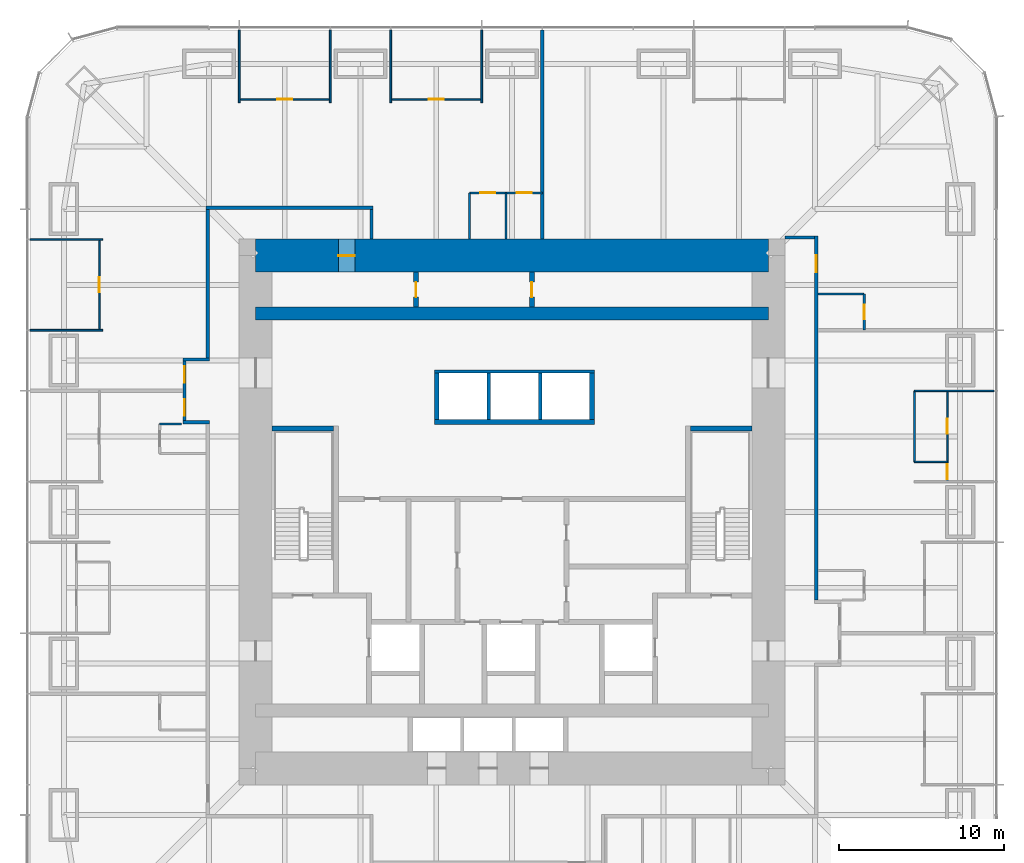
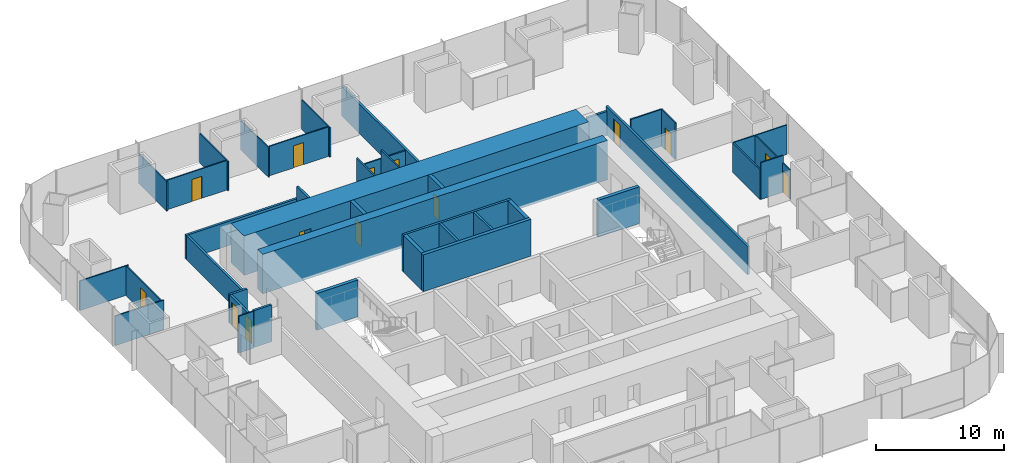
# One storey, part 11 of 13: 40 walls, 14 doors, 14 openings.
"""IFC4 building model written with IfcOpenShell, lengths in metres."""

from ifc_helpers import new_model, si_unit, direction, frame, frame_2d, origin, place, context, subcontext, project, spatial, rectangle, extrude, material, layer, layer_set, type_object, element, fill, save


model = new_model("IFC4")

# Units and contexts
model_context = context("Model", 3, precision=1e-05, world=origin(), true_north=direction((0.0, 1.0)))
body_context = subcontext(model_context, "Body", "Model", "MODEL_VIEW")
ifc_project = project(units=[si_unit("LENGTHUNIT", "METRE"), si_unit("AREAUNIT", "SQUARE_METRE"), si_unit("VOLUMEUNIT", "CUBIC_METRE"), si_unit("PLANEANGLEUNIT", "RADIAN"), si_unit("MASSUNIT", "GRAM", prefix="KILO")], contexts=[model_context])

# Site, building, storey
site_placement = place(None, origin())
site = spatial("IfcSite", under=ifc_project, at=site_placement, CompositionType="ELEMENT")
building_placement = place(site_placement, origin())
building = spatial("IfcBuilding", under=site, at=building_placement, Name="Khuree Lantern Residences", CompositionType="ELEMENT")
storey_placement = place(building_placement, frame((0.0, 0.0, 114.75)))
storey = spatial("IfcBuildingStorey", under=building, at=storey_placement, Name="L28", CompositionType="ELEMENT", Elevation=114.75)

# Wall
ifc_material_1 = material(Name="Moisture-resistant gypsum board on steel studs", Category="steel")
ifc_layer_1 = layer(ifc_material_1, 0.125)
ifc_layer_set_1 = layer_set([ifc_layer_1], Name="BATHROOM WALL BTW125")
wall_type_1 = type_object("IfcWallType", Name="BATHROOM WALL BTW125", PredefinedType="PARTITIONING", material=ifc_layer_set_1)
wall_1_placement = place(storey_placement, frame((24.329833984375, 3.031982421875, 0.0), z_axis=(0.0, 0.0, 1.0), x_axis=(0.0, 1.0, 0.0)))
element("IfcWall", 1, at=wall_1_placement, inside=storey, type_object=wall_type_1, Name="L28 BATHROOM WALL 01", PredefinedType="PARTITIONING", context=body_context, shape_type="SweptSolid", body=[
    extrude(rectangle(XDim=4.2958984375, YDim=0.125, at=frame_2d((2.14794921875, 0.0))), origin(), (0.0, 0.0, 1.0), 2.81005859375),
])

# Wall, opening, door
wall_2_placement = place(storey_placement, frame((21.300048828125, 10.991943359375, 0.0), z_axis=(0.0, 0.0, 1.0), x_axis=(0.0, 1.0, 0.0)))
wall_2 = element("IfcWall", 2, at=wall_2_placement, inside=storey, type_object=wall_type_1, Name="L28 BATHROOM WALL 02", PredefinedType="PARTITIONING", context=body_context, shape_type="SweptSolid", body=[
    extrude(rectangle(XDim=2.199951171875, YDim=0.125, at=frame_2d((1.10009765625, 0.0))), origin(), (0.0, 0.0, 1.0), 3.5),
])
opening_1_placement = place(wall_2_placement, frame((0.64990234375, 0.0, 0.0)))
opening_1 = element("IfcOpeningElement", 3, at=opening_1_placement, cuts=wall_2, Name="Opening 28-029", PredefinedType="OPENING", context=body_context, shape_type="SweptSolid", body=[
    extrude(rectangle(XDim=0.89990234375, YDim=2.10009765625, at=frame_2d((0.449951171875, 1.050048828125))), frame((0.0, 0.072509765625, 0.0), z_axis=(0.0, -1.0, 0.0), x_axis=(1.0, 0.0, 0.0)), (0.0, 0.0, 1.0), 0.14501953125),
])
ifc_material_2 = material(Name="Timber door leaf in hardwood frame", Category="wood")
door_type_1 = type_object("IfcDoorType", Name="BATHROOM DOOR 900X2100", OperationType="SINGLE_SWING_LEFT", PredefinedType="DOOR", material=ifc_material_2)
door_1_placement = place(opening_1_placement, origin())
door_1 = element("IfcDoor", 4, at=door_1_placement, inside=storey, type_object=door_type_1, Name="Bathroom door 28-029", OperationType="SINGLE_SWING_LEFT", OverallHeight=2.10009765625, OverallWidth=0.89990234375, PredefinedType="DOOR", context=body_context, shape_type="SweptSolid", body=[
    extrude(rectangle(XDim=0.89990234375, YDim=2.10009765625, at=frame_2d((0.449951171875, 1.050048828125))), frame((0.0, 0.02490234375, 0.0), z_axis=(0.0, -1.0, 0.0), x_axis=(1.0, 0.0, 0.0)), (0.0, 0.0, 1.0), 0.050048828125),
])
fill(opening_1, door_1)

# Wall
wall_3_placement = place(storey_placement, frame((18.5, 13.19189453125, 0.0), z_axis=(0.0, 0.0, 1.0), x_axis=(1.0, 0.0, 0.0)))
element("IfcWall", 5, at=wall_3_placement, inside=storey, type_object=wall_type_1, Name="L28 BATHROOM WALL 02", PredefinedType="PARTITIONING", context=body_context, shape_type="SweptSolid", body=[
    extrude(rectangle(XDim=2.800048828125, YDim=0.125, at=frame_2d((1.39990234375, 0.0))), origin(), (0.0, 0.0, 1.0), 3.5),
])

# Wall, openings, doors
wall_4_placement = place(storey_placement, frame((1.83203125, 19.300048828125, 0.0), z_axis=(0.0, 0.0, 1.0), x_axis=(-1.0, 0.0, 0.0)))
wall_4 = element("IfcWall", 6, at=wall_4_placement, inside=storey, type_object=wall_type_1, Name="L28 BATHROOM WALL 03", PredefinedType="PARTITIONING", context=body_context, shape_type="SweptSolid", body=[
    extrude(rectangle(XDim=4.400146484375, YDim=0.125, at=frame_2d((2.2001953125, 0.0))), origin(), (0.0, 0.0, 1.0), 2.699951171875),
])
opening_2_placement = place(wall_4_placement, frame((0.64990234375, 0.0, 0.0)))
opening_2 = element("IfcOpeningElement", 7, at=opening_2_placement, cuts=wall_4, Name="Opening 28-034", PredefinedType="OPENING", context=body_context, shape_type="SweptSolid", body=[
    extrude(rectangle(XDim=0.89990234375, YDim=2.10009765625, at=frame_2d((0.449951171875, 1.050048828125))), frame((0.0, 0.072509765625, 0.0), z_axis=(0.0, -1.0, 0.0), x_axis=(1.0, 0.0, 0.0)), (0.0, 0.0, 1.0), 0.14501953125),
])
opening_3_placement = place(wall_4_placement, frame((2.85009765625, 0.0, 0.0)))
opening_3 = element("IfcOpeningElement", 8, at=opening_3_placement, cuts=wall_4, Name="Opening 28-035", PredefinedType="OPENING", context=body_context, shape_type="SweptSolid", body=[
    extrude(rectangle(XDim=0.89990234375, YDim=2.10009765625, at=frame_2d((0.449951171875, 1.050048828125))), frame((0.0, 0.072509765625, 0.0), z_axis=(0.0, -1.0, 0.0), x_axis=(1.0, 0.0, 0.0)), (0.0, 0.0, 1.0), 0.14501953125),
])
door_2_placement = place(opening_2_placement, origin())
door_2 = element("IfcDoor", 9, at=door_2_placement, inside=storey, type_object=door_type_1, Name="Bathroom door 28-034", OperationType="SINGLE_SWING_LEFT", OverallHeight=2.10009765625, OverallWidth=0.89990234375, PredefinedType="DOOR", context=body_context, shape_type="SweptSolid", body=[
    extrude(rectangle(XDim=0.89990234375, YDim=2.10009765625, at=frame_2d((0.449951171875, 1.050048828125))), frame((0.0, 0.02490234375, 0.0), z_axis=(0.0, -1.0, 0.0), x_axis=(1.0, 0.0, 0.0)), (0.0, 0.0, 1.0), 0.050048828125),
])
fill(opening_2, door_2)
door_3_placement = place(opening_3_placement, origin())
door_3 = element("IfcDoor", 10, at=door_3_placement, inside=storey, type_object=door_type_1, Name="Bathroom door 28-035", OperationType="SINGLE_SWING_LEFT", OverallHeight=2.10009765625, OverallWidth=0.89990234375, PredefinedType="DOOR", context=body_context, shape_type="SweptSolid", body=[
    extrude(rectangle(XDim=0.89990234375, YDim=2.10009765625, at=frame_2d((0.449951171875, 1.050048828125))), frame((0.0, 0.02490234375, 0.0), z_axis=(0.0, -1.0, 0.0), x_axis=(1.0, 0.0, 0.0)), (0.0, 0.0, 1.0), 0.050048828125),
])
fill(opening_3, door_3)

# Walls
for number, where, z_axis, x_axis, name in (
    (11, (-0.367919921875, 16.5, 0.0), (0.0, 0.0, 1.0), (0.0, 1.0, 0.0), "L28 BATHROOM WALL 03"),
    (12, (-2.568115234375, 16.5, 0.0), (0.0, 0.0, 1.0), (0.0, 1.0, 0.0), "L28 BATHROOM WALL 03"),
):
    element("IfcWall", number, at=place(storey_placement, frame(where, z_axis=z_axis, x_axis=x_axis)), inside=storey, type_object=wall_type_1, Name=name, PredefinedType="PARTITIONING", context=body_context, shape_type="SweptSolid", body=[
        extrude(rectangle(XDim=2.800048828125, YDim=0.125, at=frame_2d((1.39990234375, 0.0))), origin(), (0.0, 0.0, 1.0), 3.5),
    ])
wall_5_placement = place(storey_placement, frame((-19.969970703125, 5.327880859375, 0.0), z_axis=(0.0, 0.0, 1.0), x_axis=(-1.0, 0.0, 0.0)))
element("IfcWall", 13, at=wall_5_placement, inside=storey, type_object=wall_type_1, Name="L28 BATHROOM WALL 04", PredefinedType="PARTITIONING", context=body_context, shape_type="SweptSolid", body=[
    extrude(rectangle(XDim=1.330078125, YDim=0.125, at=frame_2d((0.6650390625, 0.0))), origin(), (0.0, 0.0, 1.0), 3.5),
])
ifc_material_3 = material(Name="Dense concrete blockwork", Category="masonry")
ifc_layer_2 = layer(ifc_material_3, 0.300048828125)
ifc_layer_set_2 = layer_set([ifc_layer_2], Name="CORE PARTITION WALL CPW300 EI 120")
wall_type_2 = type_object("IfcWallType", Name="CORE PARTITION WALL CPW300 EI 120", PredefinedType="PARTITIONING", material=ifc_layer_set_2)
wall_6_placement = place(storey_placement, frame((-4.699951171875, 5.449951171875, 0.0), z_axis=(0.0, 0.0, 1.0), x_axis=(1.0, 0.0, 0.0)))
element("IfcWall", 14, at=wall_6_placement, inside=storey, type_object=wall_type_2, Name="L28 CORE WALL PHS", PredefinedType="PARTITIONING", context=body_context, shape_type="SweptSolid", body=[
    extrude(rectangle(XDim=9.699951171875, YDim=0.300048828125, at=frame_2d((4.85009765625, 0.0))), origin(), (0.0, 0.0, 1.0), 3.5),
])
for number, where, z_axis, x_axis, name in (
    (15, (-4.550048828125, 5.60009765625, 0.0), (0.0, 0.0, 1.0), (0.0, 1.0, 0.0), "L28 CORE WALL PHW"),
    (16, (4.85009765625, 5.60009765625, 0.0), (0.0, 0.0, 1.0), (0.0, 1.0, 0.0), "L28 CORE WALL PHE"),
):
    element("IfcWall", number, at=place(storey_placement, frame(where, z_axis=z_axis, x_axis=x_axis)), inside=storey, type_object=wall_type_2, Name=name, PredefinedType="PARTITIONING", context=body_context, shape_type="SweptSolid", body=[
        extrude(rectangle(XDim=2.7998046875, YDim=0.300048828125, at=frame_2d((1.39990234375, 0.0))), origin(), (0.0, 0.0, 1.0), 3.5),
    ])

# Wall, opening, door
wall_7_placement = place(storey_placement, frame((-5.800048828125, 12.39990234375, 0.0), z_axis=(0.0, 0.0, 1.0), x_axis=(0.0, 1.0, 0.0)))
wall_7 = element("IfcWall", 17, at=wall_7_placement, inside=storey, type_object=wall_type_2, Name="L28 CORE WALL PLX", PredefinedType="PARTITIONING", context=body_context, shape_type="SweptSolid", body=[
    extrude(rectangle(XDim=2.10009765625, YDim=0.300048828125, at=frame_2d((1.050048828125, 0.0))), origin(), (0.0, 0.0, 1.0), 3.5),
])
opening_4_placement = place(wall_7_placement, frame((0.60009765625, 0.0, 0.0)))
opening_4 = element("IfcOpeningElement", 18, at=opening_4_placement, cuts=wall_7, Name="Opening 28-020", PredefinedType="OPENING", context=body_context, shape_type="SweptSolid", body=[
    extrude(rectangle(XDim=0.89990234375, YDim=2.10009765625, at=frame_2d((0.449951171875, 1.050048828125))), frame((0.0, 0.16015625, 0.0), z_axis=(0.0, -1.0, 0.0), x_axis=(1.0, 0.0, 0.0)), (0.0, 0.0, 1.0), 0.320068359375),
])
door_type_2 = type_object("IfcDoorType", Name="DOOR 900X2100", OperationType="SINGLE_SWING_LEFT", PredefinedType="DOOR", material=ifc_material_2)
door_4_placement = place(opening_4_placement, origin())
door_4 = element("IfcDoor", 19, at=door_4_placement, inside=storey, type_object=door_type_2, Name="Spares store door 28-020", OperationType="SINGLE_SWING_LEFT", OverallHeight=2.10009765625, OverallWidth=0.89990234375, PredefinedType="DOOR", context=body_context, shape_type="SweptSolid", body=[
    extrude(rectangle(XDim=0.89990234375, YDim=2.10009765625, at=frame_2d((0.449951171875, 1.050048828125))), frame((0.0, 0.02490234375, 0.0), z_axis=(0.0, -1.0, 0.0), x_axis=(1.0, 0.0, 0.0)), (0.0, 0.0, 1.0), 0.050048828125),
])
fill(opening_4, door_4)

wall_8_placement = place(storey_placement, frame((1.199951171875, 12.39990234375, 0.0), z_axis=(0.0, 0.0, 1.0), x_axis=(0.0, 1.0, 0.0)))
wall_8 = element("IfcWall", 20, at=wall_8_placement, inside=storey, type_object=wall_type_2, Name="L28 CORE WALL PLY", PredefinedType="PARTITIONING", context=body_context, shape_type="SweptSolid", body=[
    extrude(rectangle(XDim=2.10009765625, YDim=0.300048828125, at=frame_2d((1.050048828125, 0.0))), origin(), (0.0, 0.0, 1.0), 3.5),
])
opening_5_placement = place(wall_8_placement, frame((0.60009765625, 0.0, 0.0)))
opening_5 = element("IfcOpeningElement", 21, at=opening_5_placement, cuts=wall_8, Name="Opening 28-021", PredefinedType="OPENING", context=body_context, shape_type="SweptSolid", body=[
    extrude(rectangle(XDim=0.89990234375, YDim=2.10009765625, at=frame_2d((0.449951171875, 1.050048828125))), frame((0.0, 0.16015625, 0.0), z_axis=(0.0, -1.0, 0.0), x_axis=(1.0, 0.0, 0.0)), (0.0, 0.0, 1.0), 0.320068359375),
])
door_5_placement = place(opening_5_placement, origin())
door_5 = element("IfcDoor", 22, at=door_5_placement, inside=storey, type_object=door_type_2, Name="Housekeeping store door 28-021", OperationType="SINGLE_SWING_LEFT", OverallHeight=2.10009765625, OverallWidth=0.89990234375, PredefinedType="DOOR", context=body_context, shape_type="SweptSolid", body=[
    extrude(rectangle(XDim=0.89990234375, YDim=2.10009765625, at=frame_2d((0.449951171875, 1.050048828125))), frame((0.0, 0.02490234375, 0.0), z_axis=(0.0, -1.0, 0.0), x_axis=(1.0, 0.0, 0.0)), (0.0, 0.0, 1.0), 0.050048828125),
])
fill(opening_5, door_5)

# Walls
ifc_material_4 = material(Name="Gypsum board on steel studs", Category="steel")
ifc_layer_3 = layer(ifc_material_4, 0.199951171875)
ifc_layer_set_3 = layer_set([ifc_layer_3], Name="CORRIDOR WALL CRW200 EI 60")
wall_type_3 = type_object("IfcWallType", Name="CORRIDOR WALL CRW200 EI 60", PredefinedType="PARTITIONING", material=ifc_layer_set_3)
wall_9_placement = place(storey_placement, frame((16.5, 16.60009765625, 0.0), z_axis=(0.0, 0.0, 1.0), x_axis=(1.0, 0.0, 0.0)))
element("IfcWall", 23, at=wall_9_placement, inside=storey, type_object=wall_type_3, Name="L28 EAST CORRIDOR NORTH END WALL", PredefinedType="PARTITIONING", context=body_context, shape_type="SweptSolid", body=[
    extrude(rectangle(XDim=1.800048828125, YDim=0.199951171875, at=frame_2d((0.89990234375, 0.0))), origin(), (0.0, 0.0, 1.0), 2.300048828125),
])
wall_10_placement = place(storey_placement, frame((-18.5, 18.39990234375, 0.0), z_axis=(0.0, 0.0, 1.0), x_axis=(1.0, 0.0, 0.0)))
element("IfcWall", 24, at=wall_10_placement, inside=storey, type_object=wall_type_3, Name="L28 CORRIDOR WALL NORTH", PredefinedType="PARTITIONING", context=body_context, shape_type="SweptSolid", body=[
    extrude(rectangle(XDim=10.10009765625, YDim=0.199951171875, at=frame_2d((5.050048828125, 0.0))), origin(), (0.0, 0.0, 1.0), 2.300048828125),
])
wall_11_placement = place(storey_placement, frame((-8.5, 18.300048828125, 0.0), z_axis=(0.0, 0.0, 1.0), x_axis=(0.0, -1.0, 0.0)))
element("IfcWall", 25, at=wall_11_placement, inside=storey, type_object=wall_type_3, Name="L28 NORTH CORRIDOR END WALL", PredefinedType="PARTITIONING", context=body_context, shape_type="SweptSolid", body=[
    extrude(rectangle(XDim=1.800048828125, YDim=0.199951171875, at=frame_2d((0.89990234375, 0.0))), origin(), (0.0, 0.0, 1.0), 3.5),
])

# Wall, opening, door
wall_12_placement = place(storey_placement, frame((18.39990234375, -5.327880859375, 0.0), z_axis=(0.0, 0.0, 1.0), x_axis=(0.0, 1.0, 0.0)))
wall_12 = element("IfcWall", 26, at=wall_12_placement, inside=storey, type_object=wall_type_3, Name="L28 CORRIDOR WALL EAST 2", PredefinedType="PARTITIONING", context=body_context, shape_type="SweptSolid", body=[
    extrude(rectangle(XDim=22.02783203125, YDim=0.199951171875, at=frame_2d((11.013916015625, 0.0))), origin(), (0.0, 0.0, 1.0), 2.699951171875),
])
opening_6_placement = place(wall_12_placement, frame((19.840087890625, 0.0, 0.0)))
opening_6 = element("IfcOpeningElement", 27, at=opening_6_placement, cuts=wall_12, Name="Opening 28-030", PredefinedType="OPENING", context=body_context, shape_type="SweptSolid", body=[
    extrude(rectangle(XDim=1.0, YDim=2.199951171875, at=frame_2d((0.5, 1.10009765625))), frame((0.0, 0.10986328125, 0.0), z_axis=(0.0, -1.0, 0.0), x_axis=(1.0, 0.0, 0.0)), (0.0, 0.0, 1.0), 0.219970703125),
])
door_type_3 = type_object("IfcDoorType", Name="APARTMENT ENTRANCE DOOR 1000X2200 EI 30S RIGHT HAND", OperationType="SINGLE_SWING_RIGHT", PredefinedType="DOOR", material=ifc_material_2)
door_6_placement = place(opening_6_placement, origin())
door_6 = element("IfcDoor", 28, at=door_6_placement, inside=storey, type_object=door_type_3, Name="Apartment 02 entrance door 28-030", OperationType="SINGLE_SWING_RIGHT", OverallHeight=2.199951171875, OverallWidth=1.0, PredefinedType="DOOR", context=body_context, shape_type="SweptSolid", body=[
    extrude(rectangle(XDim=1.0, YDim=2.199951171875, at=frame_2d((0.5, 1.10009765625))), frame((0.0, 0.02490234375, 0.0), z_axis=(0.0, -1.0, 0.0), x_axis=(1.0, 0.0, 0.0)), (0.0, 0.0, 1.0), 0.050048828125),
])
fill(opening_6, door_6)

# Walls
wall_13_placement = place(storey_placement, frame((-18.39990234375, 18.300048828125, 0.0), z_axis=(0.0, 0.0, 1.0), x_axis=(0.0, -1.0, 0.0)))
element("IfcWall", 29, at=wall_13_placement, inside=storey, type_object=wall_type_3, Name="L28 CORRIDOR WALL WEST 1", PredefinedType="PARTITIONING", context=body_context, shape_type="SweptSolid", body=[
    extrude(rectangle(XDim=8.97216796875, YDim=0.199951171875, at=frame_2d((4.486083984375, 0.0))), origin(), (0.0, 0.0, 1.0), 2.300048828125),
])
wall_14_placement = place(storey_placement, frame((-18.300048828125, 9.22802734375, 0.0), z_axis=(0.0, 0.0, 1.0), x_axis=(-1.0, 0.0, 0.0)))
element("IfcWall", 30, at=wall_14_placement, inside=storey, type_object=wall_type_3, Name="L28 CORRIDOR ALCOVE WALL WEST", PredefinedType="PARTITIONING", context=body_context, shape_type="SweptSolid", body=[
    extrude(rectangle(XDim=1.599853515625, YDim=0.199951171875, at=frame_2d((0.7998046875, 0.0))), origin(), (0.0, 0.0, 1.0), 2.699951171875),
])
wall_15_placement = place(storey_placement, frame((-18.300048828125, 5.427978515625, 0.0), z_axis=(0.0, 0.0, 1.0), x_axis=(-1.0, 0.0, 0.0)))
element("IfcWall", 31, at=wall_15_placement, inside=storey, type_object=wall_type_3, Name="L28 CORRIDOR ALCOVE WALL WEST", PredefinedType="PARTITIONING", context=body_context, shape_type="SweptSolid", body=[
    extrude(rectangle(XDim=1.599853515625, YDim=0.199951171875, at=frame_2d((0.7998046875, 0.0))), origin(), (0.0, 0.0, 1.0), 3.5),
])

# Wall, openings, doors
wall_16_placement = place(storey_placement, frame((-19.800048828125, 9.1279296875, 0.0), z_axis=(0.0, 0.0, 1.0), x_axis=(0.0, -1.0, 0.0)))
wall_16 = element("IfcWall", 32, at=wall_16_placement, inside=storey, type_object=wall_type_3, Name="L28 CORRIDOR ALCOVE WALL WEST", PredefinedType="PARTITIONING", context=body_context, shape_type="SweptSolid", body=[
    extrude(rectangle(XDim=3.599853515625, YDim=0.199951171875, at=frame_2d((1.7998046875, 0.0))), origin(), (0.0, 0.0, 1.0), 2.699951171875),
])
opening_7_placement = place(wall_16_placement, frame((0.300048828125, 0.0, 0.0)))
opening_7 = element("IfcOpeningElement", 33, at=opening_7_placement, cuts=wall_16, Name="Opening 28-036", PredefinedType="OPENING", context=body_context, shape_type="SweptSolid", body=[
    extrude(rectangle(XDim=1.0, YDim=2.199951171875, at=frame_2d((0.5, 1.10009765625))), frame((0.0, 0.10986328125, 0.0), z_axis=(0.0, -1.0, 0.0), x_axis=(1.0, 0.0, 0.0)), (0.0, 0.0, 1.0), 0.219970703125),
])
opening_8_placement = place(wall_16_placement, frame((2.300048828125, 0.0, 0.0)))
opening_8 = element("IfcOpeningElement", 34, at=opening_8_placement, cuts=wall_16, Name="Opening 28-041", PredefinedType="OPENING", context=body_context, shape_type="SweptSolid", body=[
    extrude(rectangle(XDim=1.0, YDim=2.199951171875, at=frame_2d((0.5, 1.10009765625))), frame((0.0, 0.10986328125, 0.0), z_axis=(0.0, -1.0, 0.0), x_axis=(1.0, 0.0, 0.0)), (0.0, 0.0, 1.0), 0.219970703125),
])
door_type_4 = type_object("IfcDoorType", Name="APARTMENT ENTRANCE DOOR 1000X2200 EI 30S", OperationType="SINGLE_SWING_LEFT", PredefinedType="DOOR", material=ifc_material_2)
door_7_placement = place(opening_7_placement, origin())
door_7 = element("IfcDoor", 35, at=door_7_placement, inside=storey, type_object=door_type_4, Name="Apartment 03 entrance door 28-036", OperationType="SINGLE_SWING_LEFT", OverallHeight=2.199951171875, OverallWidth=1.0, PredefinedType="DOOR", context=body_context, shape_type="SweptSolid", body=[
    extrude(rectangle(XDim=1.0, YDim=2.199951171875, at=frame_2d((0.5, 1.10009765625))), frame((0.0, 0.02490234375, 0.0), z_axis=(0.0, -1.0, 0.0), x_axis=(1.0, 0.0, 0.0)), (0.0, 0.0, 1.0), 0.050048828125),
])
fill(opening_7, door_7)
door_8_placement = place(opening_8_placement, origin())
door_8 = element("IfcDoor", 36, at=door_8_placement, inside=storey, type_object=door_type_3, Name="Apartment 04 entrance door 28-041", OperationType="SINGLE_SWING_RIGHT", OverallHeight=2.199951171875, OverallWidth=1.0, PredefinedType="DOOR", context=body_context, shape_type="SweptSolid", body=[
    extrude(rectangle(XDim=1.0, YDim=2.199951171875, at=frame_2d((0.5, 1.10009765625))), frame((0.0, 0.02490234375, 0.0), z_axis=(0.0, -1.0, 0.0), x_axis=(1.0, 0.0, 0.0)), (0.0, 0.0, 1.0), 0.050048828125),
])
fill(opening_8, door_8)

# Wall, opening, door
ifc_material_5 = material(Name="Concrete C70/85", Category="concrete")
ifc_layer_4 = layer(ifc_material_5, 2.0)
ifc_layer_set_4 = layer_set([ifc_layer_4], Name="CW2000-C70 CORE WALL C70 2000")
wall_type_4 = type_object("IfcWallType", Name="CW2000-C70 CORE WALL C70 2000", PredefinedType="SHEAR", material=ifc_layer_set_4)
wall_17_placement = place(storey_placement, frame((-15.5, 15.5, -0.25), z_axis=(0.0, 0.0, 1.0), x_axis=(1.0, 0.0, 0.0)))
wall_17 = element("IfcWall", 37, at=wall_17_placement, inside=storey, type_object=wall_type_4, Name="Core wall N", PredefinedType="SHEAR", context=body_context, shape_type="SweptSolid", body=[
    extrude(rectangle(XDim=31.0, YDim=2.0, at=frame_2d((15.5, 0.0))), origin(), (0.0, 0.0, 1.0), 3.75),
])
opening_9_placement = place(wall_17_placement, frame((5.0, 0.0, 0.25)))
opening_9 = element("IfcOpeningElement", 38, at=opening_9_placement, cuts=wall_17, Name="Opening 28-022", PredefinedType="OPENING", context=body_context, shape_type="SweptSolid", body=[
    extrude(rectangle(XDim=1.0, YDim=2.10009765625, at=frame_2d((0.5, 1.050048828125))), frame((0.0, 1.010009765625, 0.0), z_axis=(0.0, -1.0, 0.0), x_axis=(1.0, 0.0, 0.0)), (0.0, 0.0, 1.0), 2.02001953125),
])
ifc_material_6 = material(Name="Steel door leaf in steel frame", Category="steel")
door_type_5 = type_object("IfcDoorType", Name="DOOR 1000X2100 EI 60 RIGHT HAND", OperationType="SINGLE_SWING_RIGHT", PredefinedType="DOOR", material=ifc_material_6)
door_9_placement = place(opening_9_placement, origin())
door_9 = element("IfcDoor", 39, at=door_9_placement, inside=storey, type_object=door_type_5, Name="Residents' store door 28-022", OperationType="SINGLE_SWING_RIGHT", OverallHeight=2.10009765625, OverallWidth=1.0, PredefinedType="DOOR", context=body_context, shape_type="SweptSolid", body=[
    extrude(rectangle(XDim=1.0, YDim=2.10009765625, at=frame_2d((0.5, 1.050048828125))), frame((0.0, 0.02490234375, 0.0), z_axis=(0.0, -1.0, 0.0), x_axis=(1.0, 0.0, 0.0)), (0.0, 0.0, 1.0), 0.050048828125),
])
fill(opening_9, door_9)

# Walls
ifc_layer_5 = layer(ifc_material_4, 0.199951171875)
ifc_layer_set_5 = layer_set([ifc_layer_5], Name="DEMISING WALL DMW200 EI 90")
wall_type_5 = type_object("IfcWallType", Name="DEMISING WALL DMW200 EI 90", PredefinedType="PARTITIONING", material=ifc_layer_set_5)
wall_18_placement = place(storey_placement, frame((1.83203125, 16.5, 0.0), z_axis=(0.0, 0.0, 1.0), x_axis=(0.0, 1.0, 0.0)))
element("IfcWall", 40, at=wall_18_placement, inside=storey, type_object=wall_type_5, Name="L28 DEMISING WALL 03", PredefinedType="PARTITIONING", context=body_context, shape_type="SweptSolid", body=[
    extrude(rectangle(XDim=12.64990234375, YDim=0.199951171875, at=frame_2d((6.324951171875, 0.0))), origin(), (0.0, 0.0, 1.0), 2.81005859375),
])
ifc_layer_6 = layer(ifc_material_4, 0.10009765625)
ifc_layer_set_6 = layer_set([ifc_layer_6], Name="PARTITION PT100")
wall_type_6 = type_object("IfcWallType", Name="PARTITION PT100", PredefinedType="PARTITIONING", material=ifc_layer_set_6)
wall_19_placement = place(storey_placement, frame((24.329833984375, 7.327880859375, 0.0), z_axis=(0.0, 0.0, 1.0), x_axis=(1.0, 0.0, 0.0)))
element("IfcWall", 41, at=wall_19_placement, inside=storey, type_object=wall_type_6, Name="L28 PARTITION 01", PredefinedType="PARTITIONING", context=body_context, shape_type="SweptSolid", body=[
    extrude(rectangle(XDim=4.820068359375, YDim=0.10009765625, at=frame_2d((2.41015625, 0.0))), origin(), (0.0, 0.0, 1.0), 2.81005859375),
])
for number, where, z_axis, x_axis, name in (
    (42, (-1.83203125, 24.75, 0.0), (0.0, 0.0, 1.0), (0.0, 1.0, 0.0), "L28 PARTITION 03"),
    (43, (-7.327880859375, 24.75, 0.0), (0.0, 0.0, 1.0), (0.0, 1.0, 0.0), "L28 PARTITION 03"),
    (44, (-10.991943359375, 24.75, 0.0), (0.0, 0.0, 1.0), (0.0, 1.0, 0.0), "L28 PARTITION 03"),
    (45, (-16.488037109375, 24.75, 0.0), (0.0, 0.0, 1.0), (0.0, 1.0, 0.0), "L28 PARTITION 03"),
    (46, (-24.75, 16.488037109375, 0.0), (0.0, 0.0, 1.0), (-1.0, 0.0, 0.0), "L28 PARTITION 03"),
    (47, (-24.75, 10.991943359375, 0.0), (0.0, 0.0, 1.0), (-1.0, 0.0, 0.0), "L28 PARTITION 03"),
):
    element("IfcWall", number, at=place(storey_placement, frame(where, z_axis=z_axis, x_axis=x_axis)), inside=storey, type_object=wall_type_6, Name=name, PredefinedType="PARTITIONING", context=body_context, shape_type="SweptSolid", body=[
        extrude(rectangle(XDim=4.39990234375, YDim=0.10009765625, at=frame_2d((2.199951171875, 0.0))), origin(), (0.0, 0.0, 1.0), 2.81005859375),
    ])

# Wall, openings, doors
wall_20_placement = place(storey_placement, frame((26.329833984375, 1.83203125, 0.0), z_axis=(0.0, 0.0, 1.0), x_axis=(0.0, 1.0, 0.0)))
wall_20 = element("IfcWall", 48, at=wall_20_placement, inside=storey, type_object=wall_type_6, Name="L28 PARTITION 01", PredefinedType="PARTITIONING", context=body_context, shape_type="SweptSolid", body=[
    extrude(rectangle(XDim=5.495849609375, YDim=0.10009765625, at=frame_2d((2.748046875, 0.0))), origin(), (0.0, 0.0, 1.0), 2.81005859375),
])
opening_10_placement = place(wall_20_placement, frame((0.14990234375, 0.0, 0.0)))
opening_10 = element("IfcOpeningElement", 49, at=opening_10_placement, cuts=wall_20, Name="Opening 28-024", PredefinedType="OPENING", context=body_context, shape_type="SweptSolid", body=[
    extrude(rectangle(XDim=0.89990234375, YDim=2.10009765625, at=frame_2d((0.449951171875, 1.050048828125))), frame((0.0, 0.06005859375, 0.0), z_axis=(0.0, -1.0, 0.0), x_axis=(1.0, 0.0, 0.0)), (0.0, 0.0, 1.0), 0.1201171875),
])
opening_11_placement = place(wall_20_placement, frame((2.89794921875, 0.0, 0.0)))
opening_11 = element("IfcOpeningElement", 50, at=opening_11_placement, cuts=wall_20, Name="Opening 28-025", PredefinedType="OPENING", context=body_context, shape_type="SweptSolid", body=[
    extrude(rectangle(XDim=0.89990234375, YDim=2.10009765625, at=frame_2d((0.449951171875, 1.050048828125))), frame((0.0, 0.06005859375, 0.0), z_axis=(0.0, -1.0, 0.0), x_axis=(1.0, 0.0, 0.0)), (0.0, 0.0, 1.0), 0.1201171875),
])
door_10_placement = place(opening_11_placement, origin())
door_10 = element("IfcDoor", 51, at=door_10_placement, inside=storey, type_object=door_type_1, Name="Bathroom door 28-025", OperationType="SINGLE_SWING_LEFT", OverallHeight=2.10009765625, OverallWidth=0.89990234375, PredefinedType="DOOR", context=body_context, shape_type="SweptSolid", body=[
    extrude(rectangle(XDim=0.89990234375, YDim=2.10009765625, at=frame_2d((0.449951171875, 1.050048828125))), frame((0.0, 0.02490234375, 0.0), z_axis=(0.0, -1.0, 0.0), x_axis=(1.0, 0.0, 0.0)), (0.0, 0.0, 1.0), 0.050048828125),
])
fill(opening_11, door_10)
door_type_6 = type_object("IfcDoorType", Name="BEDROOM DOOR 900X2100", OperationType="SINGLE_SWING_LEFT", PredefinedType="DOOR", material=ifc_material_2)
door_11_placement = place(opening_10_placement, origin())
door_11 = element("IfcDoor", 52, at=door_11_placement, inside=storey, type_object=door_type_6, Name="Bedroom door 28-024", OperationType="SINGLE_SWING_LEFT", OverallHeight=2.10009765625, OverallWidth=0.89990234375, PredefinedType="DOOR", context=body_context, shape_type="SweptSolid", body=[
    extrude(rectangle(XDim=0.89990234375, YDim=2.10009765625, at=frame_2d((0.449951171875, 1.050048828125))), frame((0.0, 0.02490234375, 0.0), z_axis=(0.0, -1.0, 0.0), x_axis=(1.0, 0.0, 0.0)), (0.0, 0.0, 1.0), 0.050048828125),
])
fill(opening_10, door_11)

# Wall
wall_21_placement = place(storey_placement, frame((24.329833984375, 3.031982421875, 0.0), z_axis=(0.0, 0.0, 1.0), x_axis=(1.0, 0.0, 0.0)))
element("IfcWall", 53, at=wall_21_placement, inside=storey, type_object=wall_type_6, Name="L28 PARTITION 01", PredefinedType="PARTITIONING", context=body_context, shape_type="SweptSolid", body=[
    extrude(rectangle(XDim=2.0, YDim=0.10009765625, at=frame_2d((1.0, 0.0))), origin(), (0.0, 0.0, 1.0), 3.5),
])

# Wall, opening, door
wall_22_placement = place(storey_placement, frame((-1.83203125, 24.949951171875, 0.0), z_axis=(0.0, 0.0, 1.0), x_axis=(-1.0, 0.0, 0.0)))
wall_22 = element("IfcWall", 54, at=wall_22_placement, inside=storey, type_object=wall_type_6, Name="L28 PARTITION 03", PredefinedType="PARTITIONING", context=body_context, shape_type="SweptSolid", body=[
    extrude(rectangle(XDim=5.495849609375, YDim=0.10009765625, at=frame_2d((2.748046875, 0.0))), origin(), (0.0, 0.0, 1.0), 2.81005859375),
])
opening_12_placement = place(wall_22_placement, frame((2.298095703125, 0.0, 0.0)))
opening_12 = element("IfcOpeningElement", 55, at=opening_12_placement, cuts=wall_22, Name="Opening 28-031", PredefinedType="OPENING", context=body_context, shape_type="SweptSolid", body=[
    extrude(rectangle(XDim=0.89990234375, YDim=2.10009765625, at=frame_2d((0.449951171875, 1.050048828125))), frame((0.0, 0.06005859375, 0.0), z_axis=(0.0, -1.0, 0.0), x_axis=(1.0, 0.0, 0.0)), (0.0, 0.0, 1.0), 0.1201171875),
])
door_12_placement = place(opening_12_placement, origin())
door_12 = element("IfcDoor", 56, at=door_12_placement, inside=storey, type_object=door_type_6, Name="Bedroom door 28-031", OperationType="SINGLE_SWING_LEFT", OverallHeight=2.10009765625, OverallWidth=0.89990234375, PredefinedType="DOOR", context=body_context, shape_type="SweptSolid", body=[
    extrude(rectangle(XDim=0.89990234375, YDim=2.10009765625, at=frame_2d((0.449951171875, 1.050048828125))), frame((0.0, 0.02490234375, 0.0), z_axis=(0.0, -1.0, 0.0), x_axis=(1.0, 0.0, 0.0)), (0.0, 0.0, 1.0), 0.050048828125),
])
fill(opening_12, door_12)

wall_23_placement = place(storey_placement, frame((-10.991943359375, 24.949951171875, 0.0), z_axis=(0.0, 0.0, 1.0), x_axis=(-1.0, 0.0, 0.0)))
wall_23 = element("IfcWall", 57, at=wall_23_placement, inside=storey, type_object=wall_type_6, Name="L28 PARTITION 03", PredefinedType="PARTITIONING", context=body_context, shape_type="SweptSolid", body=[
    extrude(rectangle(XDim=5.49609375, YDim=0.10009765625, at=frame_2d((2.748046875, 0.0))), origin(), (0.0, 0.0, 1.0), 2.81005859375),
])
opening_13_placement = place(wall_23_placement, frame((2.298095703125, 0.0, 0.0)))
opening_13 = element("IfcOpeningElement", 58, at=opening_13_placement, cuts=wall_23, Name="Opening 28-032", PredefinedType="OPENING", context=body_context, shape_type="SweptSolid", body=[
    extrude(rectangle(XDim=0.89990234375, YDim=2.10009765625, at=frame_2d((0.449951171875, 1.050048828125))), frame((0.0, 0.06005859375, 0.0), z_axis=(0.0, -1.0, 0.0), x_axis=(1.0, 0.0, 0.0)), (0.0, 0.0, 1.0), 0.1201171875),
])
door_13_placement = place(opening_13_placement, origin())
door_13 = element("IfcDoor", 59, at=door_13_placement, inside=storey, type_object=door_type_6, Name="Bedroom door 28-032", OperationType="SINGLE_SWING_LEFT", OverallHeight=2.10009765625, OverallWidth=0.89990234375, PredefinedType="DOOR", context=body_context, shape_type="SweptSolid", body=[
    extrude(rectangle(XDim=0.89990234375, YDim=2.10009765625, at=frame_2d((0.449951171875, 1.050048828125))), frame((0.0, 0.02490234375, 0.0), z_axis=(0.0, -1.0, 0.0), x_axis=(1.0, 0.0, 0.0)), (0.0, 0.0, 1.0), 0.050048828125),
])
fill(opening_13, door_13)

wall_24_placement = place(storey_placement, frame((-24.949951171875, 16.488037109375, 0.0), z_axis=(0.0, 0.0, 1.0), x_axis=(0.0, -1.0, 0.0)))
wall_24 = element("IfcWall", 60, at=wall_24_placement, inside=storey, type_object=wall_type_6, Name="L28 PARTITION 03", PredefinedType="PARTITIONING", context=body_context, shape_type="SweptSolid", body=[
    extrude(rectangle(XDim=5.49609375, YDim=0.10009765625, at=frame_2d((2.748046875, 0.0))), origin(), (0.0, 0.0, 1.0), 2.81005859375),
])
opening_14_placement = place(wall_24_placement, frame((2.298095703125, 0.0, 0.0)))
opening_14 = element("IfcOpeningElement", 61, at=opening_14_placement, cuts=wall_24, Name="Opening 28-033", PredefinedType="OPENING", context=body_context, shape_type="SweptSolid", body=[
    extrude(rectangle(XDim=0.89990234375, YDim=2.10009765625, at=frame_2d((0.449951171875, 1.050048828125))), frame((0.0, 0.06005859375, 0.0), z_axis=(0.0, -1.0, 0.0), x_axis=(1.0, 0.0, 0.0)), (0.0, 0.0, 1.0), 0.1201171875),
])
door_14_placement = place(opening_14_placement, origin())
door_14 = element("IfcDoor", 62, at=door_14_placement, inside=storey, type_object=door_type_6, Name="Bedroom door 28-033", OperationType="SINGLE_SWING_LEFT", OverallHeight=2.10009765625, OverallWidth=0.89990234375, PredefinedType="DOOR", context=body_context, shape_type="SweptSolid", body=[
    extrude(rectangle(XDim=0.89990234375, YDim=2.10009765625, at=frame_2d((0.449951171875, 1.050048828125))), frame((0.0, 0.02490234375, 0.0), z_axis=(0.0, -1.0, 0.0), x_axis=(1.0, 0.0, 0.0)), (0.0, 0.0, 1.0), 0.050048828125),
])
fill(opening_14, door_14)

# Walls
ifc_layer_7 = layer(ifc_material_3, 0.199951171875)
ifc_layer_set_7 = layer_set([ifc_layer_7], Name="SHAFT WALL SHW200 EI 120")
wall_type_7 = type_object("IfcWallType", Name="SHAFT WALL SHW200 EI 120", PredefinedType="PARTITIONING", material=ifc_layer_set_7)
wall_25_placement = place(storey_placement, frame((-4.699951171875, 8.5, 0.0), z_axis=(0.0, 0.0, 1.0), x_axis=(1.0, 0.0, 0.0)))
element("IfcWall", 63, at=wall_25_placement, inside=storey, type_object=wall_type_7, Name="L28 CORE WALL PHN", PredefinedType="PARTITIONING", context=body_context, shape_type="SweptSolid", body=[
    extrude(rectangle(XDim=9.699951171875, YDim=0.199951171875, at=frame_2d((4.85009765625, 0.0))), origin(), (0.0, 0.0, 1.0), 3.5),
])
for number, where, z_axis, x_axis, name in (
    (64, (-1.39990234375, 5.60009765625, 0.0), (0.0, 0.0, 1.0), (0.0, 1.0, 0.0), "L28 CORE WALL PHD1"),
    (65, (1.699951171875, 5.60009765625, 0.0), (0.0, 0.0, 1.0), (0.0, 1.0, 0.0), "L28 CORE WALL PHD2"),
):
    element("IfcWall", number, at=place(storey_placement, frame(where, z_axis=z_axis, x_axis=x_axis)), inside=storey, type_object=wall_type_7, Name=name, PredefinedType="PARTITIONING", context=body_context, shape_type="SweptSolid", body=[
        extrude(rectangle(XDim=2.7998046875, YDim=0.199951171875, at=frame_2d((1.39990234375, 0.0))), origin(), (0.0, 0.0, 1.0), 3.5),
    ])
ifc_layer_8 = layer(ifc_material_5, 0.800048828125)
ifc_layer_set_8 = layer_set([ifc_layer_8], Name="SP800-C70 CORE SPINE WALL C70 800")
wall_type_8 = type_object("IfcWallType", Name="SP800-C70 CORE SPINE WALL C70 800", PredefinedType="SHEAR", material=ifc_layer_set_8)
wall_26_placement = place(storey_placement, frame((-15.5, 12.0, -0.25), z_axis=(0.0, 0.0, 1.0), x_axis=(1.0, 0.0, 0.0)))
element("IfcWall", 66, at=wall_26_placement, inside=storey, type_object=wall_type_8, Name="Core wall SPN", PredefinedType="SHEAR", context=body_context, shape_type="SweptSolid", body=[
    extrude(rectangle(XDim=31.0, YDim=0.800048828125, at=frame_2d((15.5, 0.0))), origin(), (0.0, 0.0, 1.0), 3.75),
])
ifc_material_7 = material(Name="Concrete C50/60", Category="concrete")
ifc_layer_9 = layer(ifc_material_7, 0.300048828125)
ifc_layer_set_9 = layer_set([ifc_layer_9], Name="STAIR WALL SRW300 C50/60 REI 240")
wall_type_9 = type_object("IfcWallType", Name="STAIR WALL SRW300 C50/60 REI 240", PredefinedType="SOLIDWALL", material=ifc_layer_set_9)
for number, where, z_axis, x_axis, name in (
    (67, (-14.5, 5.050048828125, 0.0), (0.0, 0.0, 1.0), (1.0, 0.0, 0.0), "L28 STAIR WALL ST1N"),
    (68, (14.5, 5.050048828125, 0.0), (0.0, 0.0, 1.0), (-1.0, 0.0, 0.0), "L28 STAIR WALL ST2N"),
):
    element("IfcWall", number, at=place(storey_placement, frame(where, z_axis=z_axis, x_axis=x_axis)), inside=storey, type_object=wall_type_9, Name=name, PredefinedType="SOLIDWALL", context=body_context, shape_type="SweptSolid", body=[
        extrude(rectangle(XDim=3.699951171875, YDim=0.300048828125, at=frame_2d((1.85009765625, 0.0))), origin(), (0.0, 0.0, 1.0), 3.5),
    ])

save(model, "model.ifc")
